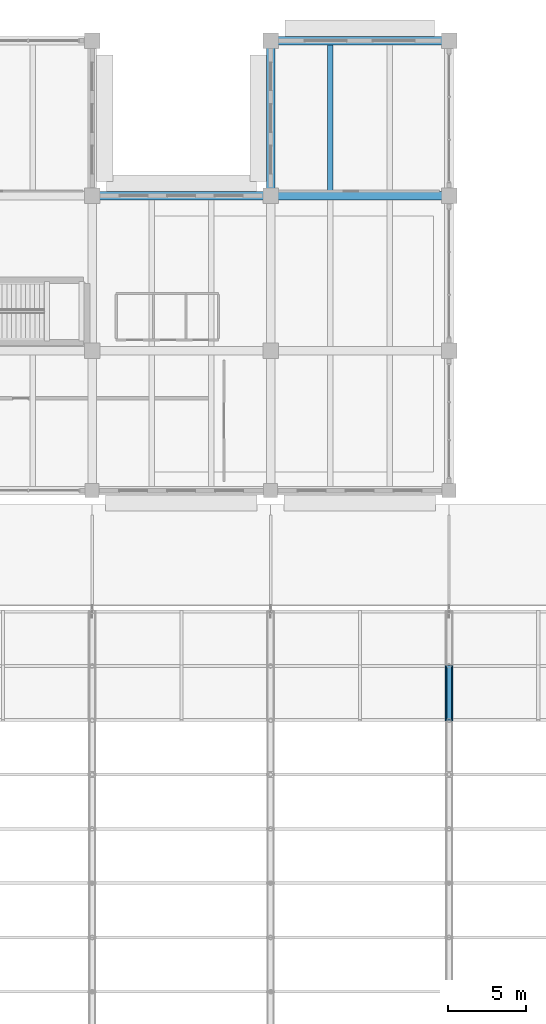
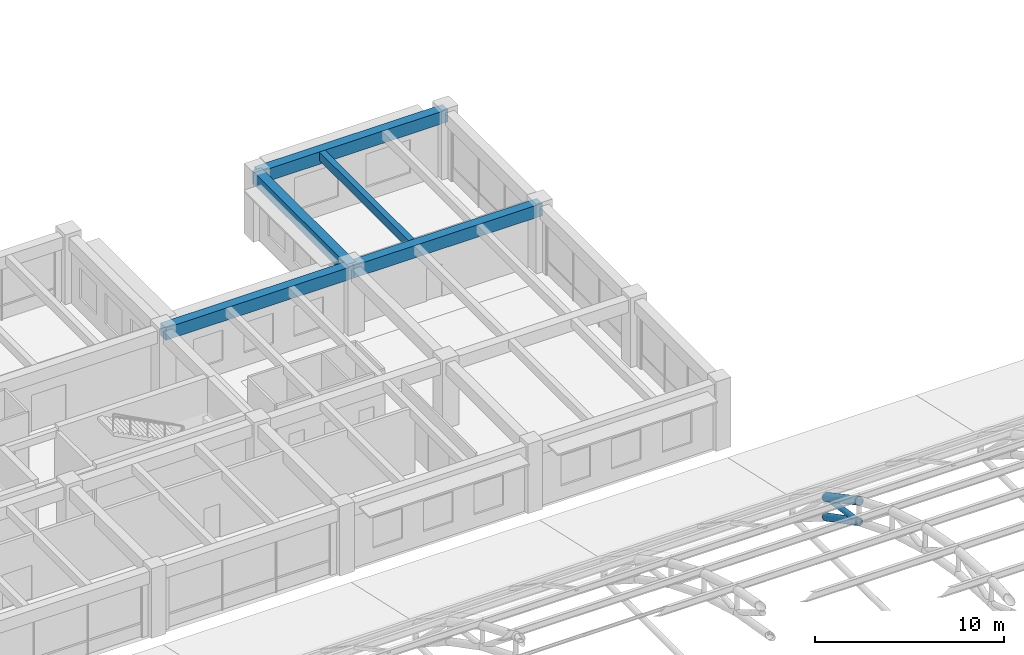
# One storey, part 75 of 154: 5 beams, 3 members.
"""IFC4 building model written with IfcOpenShell, lengths in metres."""

from ifc_helpers import new_model, si_unit, direction, frame, origin, origin_2d, place, context, subcontext, project, spatial, rectangle, hollow_circle, extrude, material, material_profile, profile_set, type_object, element, save


model = new_model("IFC4")

# Units and contexts
model_context = context("Model", 3, precision=1e-05, world=origin(), true_north=direction((0.0, 1.0)))
body_context = subcontext(model_context, "Body", "Model", "MODEL_VIEW")
ifc_project = project(units=[si_unit("LENGTHUNIT", "METRE"), si_unit("AREAUNIT", "SQUARE_METRE"), si_unit("VOLUMEUNIT", "CUBIC_METRE"), si_unit("PLANEANGLEUNIT", "RADIAN"), si_unit("MASSUNIT", "GRAM", prefix="KILO")], contexts=[model_context])

# Site, building, storey
site_placement = place(None, origin())
site = spatial("IfcSite", under=ifc_project, at=site_placement, CompositionType="ELEMENT")
building_placement = place(site_placement, origin())
building = spatial("IfcBuilding", under=site, at=building_placement, Name="Ologun Quay Terminus", CompositionType="ELEMENT")
storey_placement = place(building_placement, frame((0.0, 0.0, 13.800048828125)))
storey = spatial("IfcBuildingStorey", under=building, at=storey_placement, Name="L03", CompositionType="ELEMENT", Elevation=13.800048828125)

# Member
ifc_material_1 = material(Name="Steel S355", Category="steel")
ifc_material_profile_1 = material_profile(ifc_material_1, hollow_circle(Radius=0.161865234375, WallThickness=0.010009765625, at=origin_2d()), Name="CHS 323.9x10")
ifc_profile_set_1 = profile_set([ifc_material_profile_1], Name="Steel S355")
member_type_1 = type_object("IfcMemberType", Name="Arch Truss Web Diagonal CHS323", PredefinedType="BRACE", material=ifc_profile_set_1)
member_1_placement = place(storey_placement, frame((69.0, 71.0, 4.022216796875), z_axis=(0.0, 0.988960627525, -0.148178531524), x_axis=(-1.0, 0.0, 0.0)))
element("IfcMember", 1, at=member_1_placement, inside=storey, type_object=member_type_1, Name="AW1 Arch Web Diagonal 7-P11", PredefinedType="BRACE", context=body_context, shape_type="SweptSolid", body=[
    extrude(hollow_circle(Radius=0.161865234375, WallThickness=0.010009765625, at=origin_2d()), origin(), (0.0, 0.0, 1.0), 3.5390625),
])

# Beams
ifc_material_2 = material(Name="Concrete C40/50", Category="concrete")
ifc_material_profile_2 = material_profile(ifc_material_2, rectangle(XDim=0.550048828125, YDim=0.800048828125, at=origin_2d()), Name="RC 550x800")
ifc_profile_set_2 = profile_set([ifc_material_profile_2], Name="Concrete C40/50")
beam_type_1 = type_object("IfcBeamType", Name="Courtyard Wing Primary Girder 550x800", PredefinedType="BEAM", material=ifc_profile_set_2)
for number, where, z_axis, x_axis, name in (
    (2, (46.0, 104.800048828125, 3.849853515625), (1.0, 0.0, 0.0), (0.0, 1.0, 0.0), "B4 Beam 5/J L03"),
    (3, (57.5, 104.800048828125, 3.849853515625), (1.0, 0.0, 0.0), (0.0, 1.0, 0.0), "B4 Beam 6/J L03"),
    (4, (57.5, 114.800048828125, 3.849853515625), (1.0, 0.0, 0.0), (0.0, 1.0, 0.0), "B4 Beam 6/K L03"),
):
    element("IfcBeam", number, at=place(storey_placement, frame(where, z_axis=z_axis, x_axis=x_axis)), inside=storey, type_object=beam_type_1, Name=name, PredefinedType="BEAM", context=body_context, shape_type="SweptSolid", body=[
        extrude(rectangle(XDim=0.550048828125, YDim=0.800048828125, at=origin_2d()), origin(), (0.0, 0.0, 1.0), 11.5),
    ])
beam_1_placement = place(storey_placement, frame((57.5, 104.800048828125, 3.849853515625), z_axis=(0.0, 1.0, 0.0), x_axis=(-1.0, 0.0, 0.0)))
element("IfcBeam", 5, at=beam_1_placement, inside=storey, type_object=beam_type_1, Name="B4 Beam 6/J L03", PredefinedType="BEAM", context=body_context, shape_type="SweptSolid", body=[
    extrude(rectangle(XDim=0.550048828125, YDim=0.800048828125, at=origin_2d()), origin(), (0.0, 0.0, 1.0), 10.0),
])
ifc_material_3 = material(Name="Concrete C40/50", Category="concrete")
ifc_material_profile_3 = material_profile(ifc_material_3, rectangle(XDim=0.35009765625, YDim=0.550048828125, at=origin_2d()), Name="RC 350x550")
ifc_profile_set_3 = profile_set([ifc_material_profile_3], Name="Concrete C40/50")
beam_type_2 = type_object("IfcBeamType", Name="Courtyard Wing Secondary Joist 350x550", PredefinedType="JOIST", material=ifc_profile_set_3)
beam_2_placement = place(storey_placement, frame((61.333251953125, 105.074951171875, 3.974853515625), z_axis=(0.0, 1.0, 0.0), x_axis=(-1.0, 0.0, 0.0)))
element("IfcBeam", 6, at=beam_2_placement, inside=storey, type_object=beam_type_2, Name="J2 Beam 6/J L03", PredefinedType="JOIST", context=body_context, shape_type="SweptSolid", body=[
    extrude(rectangle(XDim=0.35009765625, YDim=0.550048828125, at=origin_2d()), origin(), (0.0, 0.0, 1.0), 9.449951171875),
])

# Members
ifc_material_4 = material(Name="Steel S355", Category="steel")
ifc_material_profile_4 = material_profile(ifc_material_4, hollow_circle(Radius=0.228515625, WallThickness=0.01611328125, at=origin_2d()), Name="CHS 457x16")
ifc_profile_set_4 = profile_set([ifc_material_profile_4], Name="Steel S355")
member_type_2 = type_object("IfcMemberType", Name="Parabolic Arch Bottom Chord CHS457", PredefinedType="CHORD", material=ifc_profile_set_4)
member_2_placement = place(storey_placement, frame((69.0, 71.0, 4.022216796875), z_axis=(0.0, 0.888247284083, -0.459365608551), x_axis=(-1.0, 0.0, 0.0)))
element("IfcMember", 7, at=member_2_placement, inside=storey, type_object=member_type_2, Name="AC2 Arch Bottom Chord 7-P11", PredefinedType="CHORD", context=body_context, shape_type="SweptSolid", body=[
    extrude(hollow_circle(Radius=0.228515625, WallThickness=0.01611328125, at=origin_2d()), origin(), (0.0, 0.0, 1.0), 3.9404296875),
])
ifc_material_5 = material(Name="Steel S355", Category="steel")
ifc_material_profile_5 = material_profile(ifc_material_5, hollow_circle(Radius=0.25390625, WallThickness=0.01611328125, at=origin_2d()), Name="CHS 508x16")
ifc_profile_set_5 = profile_set([ifc_material_profile_5], Name="Steel S355")
member_type_3 = type_object("IfcMemberType", Name="Parabolic Arch Top Chord CHS508", PredefinedType="CHORD", material=ifc_profile_set_5)
member_3_placement = place(storey_placement, frame((69.0, 71.0, 5.377685546875), z_axis=(0.0, 0.880967864924, -0.473176099324), x_axis=(-1.0, 0.0, 0.0)))
element("IfcMember", 8, at=member_3_placement, inside=storey, type_object=member_type_3, Name="Arch Top Chord 7-P11", PredefinedType="CHORD", context=body_context, shape_type="SweptSolid", body=[
    extrude(hollow_circle(Radius=0.25390625, WallThickness=0.01611328125, at=origin_2d()), origin(), (0.0, 0.0, 1.0), 3.972900390625),
])

save(model, "model.ifc")
